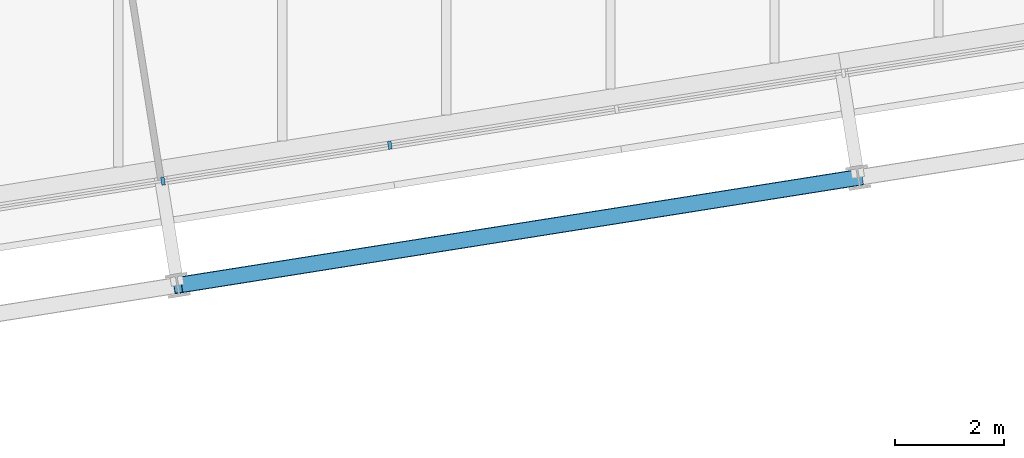
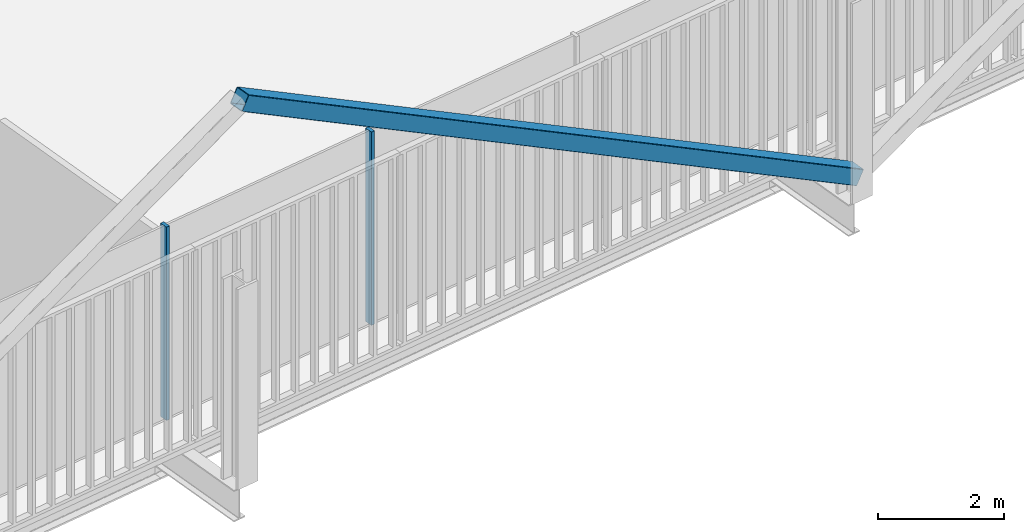
# One storey, part 3 of 21: 3 members, 1 element without a shape of its own.
"""IFC4 building model written with IfcOpenShell, lengths in metres."""

from ifc_helpers import new_model, si_unit, direction, frame, origin, origin_2d, place, context, subcontext, project, spatial, rectangle, hollow_rectangle, extrude, material, layer, layer_set, material_profile, profile_set, type_object, element, aggregate, save


model = new_model("IFC4")

# Units and contexts
model_context = context("Model", 3, precision=1e-05, world=origin(), true_north=direction((0.0, 1.0)))
body_context = subcontext(model_context, "Body", "Model", "MODEL_VIEW")
ifc_project = project(units=[si_unit("LENGTHUNIT", "METRE"), si_unit("AREAUNIT", "SQUARE_METRE"), si_unit("VOLUMEUNIT", "CUBIC_METRE"), si_unit("PLANEANGLEUNIT", "RADIAN"), si_unit("MASSUNIT", "GRAM", prefix="KILO")], contexts=[model_context])

# Site, building, storey
site_placement = place(None, origin())
site = spatial("IfcSite", under=ifc_project, at=site_placement, CompositionType="ELEMENT")
building_placement = place(site_placement, origin())
building = spatial("IfcBuilding", under=site, at=building_placement, Name="Millrace Tower", CompositionType="ELEMENT")
storey_placement = place(building_placement, frame((0.0, 0.0, 212.5)))
storey = spatial("IfcBuildingStorey", under=building, at=storey_placement, Name="L48", CompositionType="ELEMENT", Elevation=212.5)

# Curtain wall, members
ifc_material_1 = material(Name="Aluminium and glass", Category="aluminium")
ifc_layer = layer(ifc_material_1, 0.14990234375)
ifc_layer_set = layer_set([ifc_layer], Name="Aluminium and glass")
curtain_wall_type = type_object("IfcCurtainWallType", Name="CW-1 office vision curtain wall", PredefinedType="NOTDEFINED", material=ifc_layer_set)
curtain_wall_placement = place(storey_placement, origin())
curtain_wall = element("IfcCurtainWall", 1, at=curtain_wall_placement, inside=storey, type_object=curtain_wall_type, Name="Curtain wall D-F02 L48", PredefinedType="NOTDEFINED")
ifc_material_2 = material(Name="Aluminium", Category="aluminium")
ifc_material_profile_1 = material_profile(ifc_material_2, rectangle(XDim=0.06494140625, YDim=0.14990234375, at=origin_2d()))
ifc_profile_set_1 = profile_set([ifc_material_profile_1], Name="Aluminium")
member_type_1 = type_object("IfcMemberType", Name="CW-1 office vision curtain wall mullion", PredefinedType="MULLION", material=ifc_profile_set_1)
member_1_placement = place(storey_placement, frame((-5.1806640625, -19.021240234375, 0.139892578125), z_axis=(0.0, 0.0, 1.0), x_axis=(0.987688339511, 0.156434471884, 0.0)))
member_1 = element("IfcMember", 2, at=member_1_placement, type_object=member_type_1, Name="CW1 mullion D-F02.4", PredefinedType="MULLION", context=body_context, shape_type="SweptSolid", body=[
    extrude(rectangle(XDim=0.06494140625, YDim=0.14990234375, at=origin_2d()), origin(), (0.0, 0.0, 1.0), 3.760009765625),
])
member_2_placement = place(storey_placement, frame((-1.0322265625, -18.3642578125, 0.139892578125), z_axis=(0.0, 0.0, 1.0), x_axis=(0.987688339511, 0.156434471884, 0.0)))
member_2 = element("IfcMember", 3, at=member_2_placement, type_object=member_type_1, Name="CW1 mullion D-F02.5", PredefinedType="MULLION", context=body_context, shape_type="SweptSolid", body=[
    extrude(rectangle(XDim=0.06494140625, YDim=0.14990234375, at=origin_2d()), origin(), (0.0, 0.0, 1.0), 3.760009765625),
])
aggregate(curtain_wall, [member_1, member_2])

# Member
ifc_material_3 = material(Name="Steel ASTM A500 Grade C", Category="steel")
ifc_material_profile_2 = material_profile(ifc_material_3, hollow_rectangle(XDim=0.3046875, YDim=0.3046875, WallThickness=0.0126953125, InnerFilletRadius=0.00634765625, OuterFilletRadius=0.01904296875, at=origin_2d()))
ifc_profile_set_2 = profile_set([ifc_material_profile_2], Name="Steel ASTM A500 Grade C")
member_type_2 = type_object("IfcMemberType", Name="Exoskeleton brace HSS12x12x1/2", PredefinedType="BRACE", material=ifc_profile_set_2)
member_3_placement = place(storey_placement, frame((7.533203125, -18.956787109375, 0.39990234375), z_axis=(-0.863395126588, -0.136740080373, 0.485644937998), x_axis=(0.156425232058, -0.987689802912, 0.0)))
element("IfcMember", 4, at=member_3_placement, inside=storey, type_object=member_type_2, Name="BRC-D-L48-03", PredefinedType="BRACE", context=body_context, shape_type="SweptSolid", body=[
    extrude(hollow_rectangle(XDim=0.3046875, YDim=0.3046875, WallThickness=0.0126953125, InnerFilletRadius=0.00634765625, OuterFilletRadius=0.01904296875, at=origin_2d()), origin(), (0.0, 0.0, 1.0), 14.413818359375),
])

save(model, "model.ifc")
